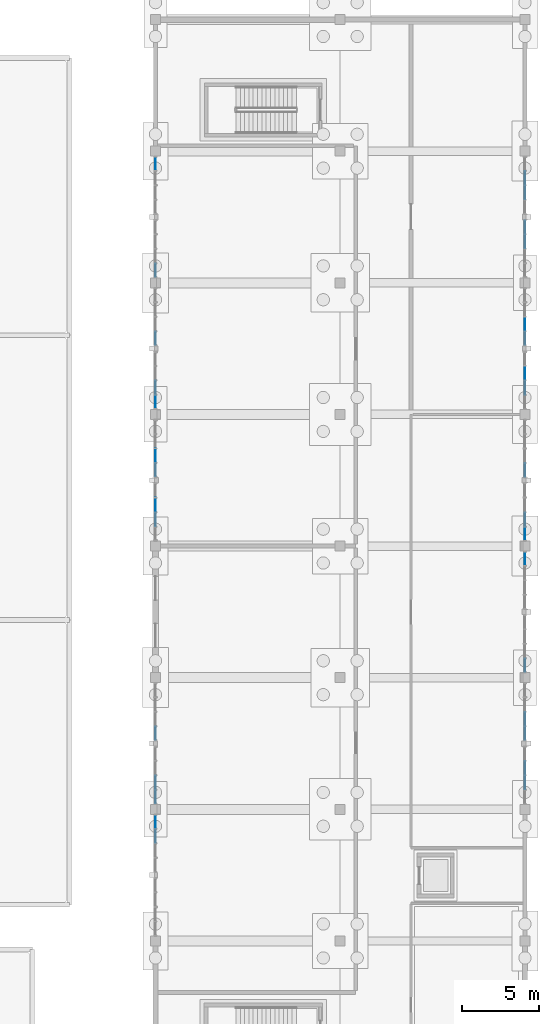
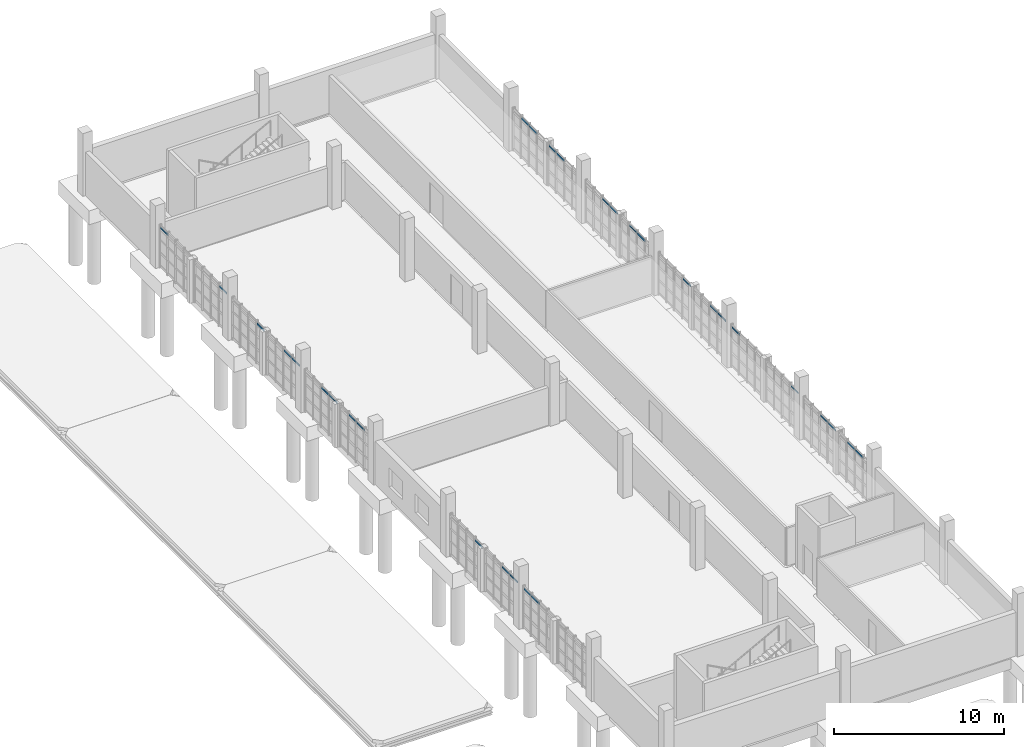
# One storey, part 101 of 125: 31 plates, 19 elements without a shape of their own.
"""IFC4 building model written with IfcOpenShell, lengths in metres."""

import ifcopenshell
import ifcopenshell.guid

model = None  # the IFC model being written
_history = None  # IfcOwnerHistory: only IFC2X3 demands one
_inside = {}  # id of a spatial element -> (the spatial element, [elements in it])
_under = {}  # id of a project, library or spatial element -> (it, [spatial elements below it])
_declared = {}  # id of a project -> (the project, [libraries it declares])
_typed = {}  # id of a type object -> (the type object, [elements of that type])
_made_of = {}  # id of a material, layer set ... -> (it, [elements and type objects made of it])


def new_model(schema):
    """Start an empty IFC model of exactly this schema.

    Asked for "IFC4X3", IfcOpenShell would pick the latest addendum, in which some entities
    have other attributes; the version numbers below select the first issue.
    IFC2X3 requires an IfcOwnerHistory on every rooted entity: one is made here for all.
    """
    global model, _history
    if schema == "IFC4X3":
        model = ifcopenshell.file(schema_version=(4, 3, 0, 0))
    else:
        model = ifcopenshell.file(schema=schema)
    _inside.clear()
    _under.clear()
    _declared.clear()
    _typed.clear()
    _made_of.clear()
    _history = None
    if model.schema == "IFC2X3":
        org = make("IfcOrganization", Name="unknown")
        user = make(
            "IfcPersonAndOrganization",
            ThePerson=make("IfcPerson", FamilyName="unknown"),
            TheOrganization=org,
        )
        app = make(
            "IfcApplication",
            ApplicationDeveloper=org,
            Version="unknown",
            ApplicationFullName="unknown",
            ApplicationIdentifier="unknown",
        )
        _history = make(
            "IfcOwnerHistory",
            OwningUser=user,
            OwningApplication=app,
            ChangeAction="ADDED",
            CreationDate=0,
        )
    return model


def make(cls, **values):
    """One entity of the class cls with the attributes given. An attribute that is None is left unset."""
    return model.create_entity(
        cls, **{name: value for name, value in values.items() if value is not None}
    )


def rooted(cls, **values):
    """An entity with a GlobalId (a new one), such as an element, a storey or a relation."""
    return make(cls, GlobalId=ifcopenshell.guid.new(), OwnerHistory=_history, **values)


def si_unit(unit_type, name, prefix=None):
    """IfcSIUnit, for example si_unit("LENGTHUNIT", "METRE", prefix="MILLI")."""
    return make("IfcSIUnit", UnitType=unit_type, Prefix=prefix, Name=name)


def assignment(units):
    """IfcUnitAssignment: the units of a project."""
    return None if units is None else make("IfcUnitAssignment", Units=units)


def point(xyz):
    """IfcCartesianPoint."""
    return None if xyz is None else make("IfcCartesianPoint", Coordinates=xyz)


def direction(xyz):
    """IfcDirection."""
    return None if xyz is None else make("IfcDirection", DirectionRatios=xyz)


def frame(location, z_axis=None, x_axis=None):
    """IfcAxis2Placement3D, a coordinate frame: its origin and axes. An axis left out is left unset."""
    return make(
        "IfcAxis2Placement3D",
        Location=point(location),
        Axis=direction(z_axis),
        RefDirection=direction(x_axis),
    )


def frame_2d(location, x_axis=None):
    """IfcAxis2Placement2D, a coordinate frame in the plane: its origin and x axis."""
    return make(
        "IfcAxis2Placement2D", Location=point(location), RefDirection=direction(x_axis)
    )


def origin():
    """The frame at (0, 0, 0) with its axes left unset."""
    return frame((0.0, 0.0, 0.0))


def origin_2d():
    """The frame at (0, 0) in the plane with its x axis left unset."""
    return frame_2d((0.0, 0.0))


def place(relative_to, where):
    """IfcLocalPlacement: puts the frame where relative to a parent placement (None: the world)."""
    return make(
        "IfcLocalPlacement", PlacementRelTo=relative_to, RelativePlacement=where
    )


def context(
    kind, dimensions, precision=None, world=None, true_north=None, identifier=None
):
    """IfcGeometricRepresentationContext, for example the 3D "Model" context."""
    return make(
        "IfcGeometricRepresentationContext",
        ContextIdentifier=identifier,
        ContextType=kind,
        CoordinateSpaceDimension=dimensions,
        Precision=precision,
        WorldCoordinateSystem=world,
        TrueNorth=true_north,
    )


def subcontext(parent, identifier, kind, view, scale=None):
    """IfcGeometricRepresentationSubContext, for example "Body" below "Model"."""
    return make(
        "IfcGeometricRepresentationSubContext",
        ContextIdentifier=identifier,
        ContextType=kind,
        ParentContext=parent,
        TargetScale=scale,
        TargetView=view,
    )


def project(units=None, contexts=None):
    """IfcProject with its units and contexts."""
    return rooted(
        "IfcProject",
        Name="project",
        RepresentationContexts=contexts,
        UnitsInContext=assignment(units),
    )


def spatial(cls, under=None, at=None, **own):
    """A site, building, storey or space (cls), placed at a placement, below another one or the project."""
    s = rooted(cls, ObjectPlacement=at, **own)
    if under is not None:
        _under.setdefault(under.id(), (under, []))[1].append(s)
    return s


def profile(cls, at=None, kind="AREA", **sizes):
    """A parametric profile (cls). Its sizes go by their IFC names, for example OverallWidth=200.0."""
    return make(cls, ProfileType=kind, Position=at, **sizes)


def rectangle(**sizes):
    """IfcRectangleProfileDef."""
    return profile("IfcRectangleProfileDef", **sizes)


def extrude(swept, where, along, depth):
    """IfcExtrudedAreaSolid: the profile swept, set in the frame where, extruded along a direction by depth."""
    return make(
        "IfcExtrudedAreaSolid",
        SweptArea=swept,
        Position=where,
        ExtrudedDirection=direction(along),
        Depth=depth,
    )


def shape(context_of_items, identifier, shape_type, items):
    """IfcShapeRepresentation: the items that make up one representation, for example the "Body"."""
    return make(
        "IfcShapeRepresentation",
        ContextOfItems=context_of_items,
        RepresentationIdentifier=identifier,
        RepresentationType=shape_type,
        Items=items,
    )


def material(Name=None, Category=None):
    """IfcMaterial."""
    return make("IfcMaterial", Name=Name, Category=Category)


def layer(
    of_material, thickness, ventilated=None, Name=None, Category=None, Priority=None
):
    """IfcMaterialLayer: one layer of a wall or slab, of a material (None: an air gap)."""
    return make(
        "IfcMaterialLayer",
        Material=of_material,
        LayerThickness=thickness,
        IsVentilated=ventilated,
        Name=Name,
        Category=Category,
        Priority=Priority,
    )


def layer_set(layers, Name=None):
    """IfcMaterialLayerSet."""
    return make("IfcMaterialLayerSet", MaterialLayers=layers, LayerSetName=Name)


def made_of(thing, what):
    """Note that an element or type object is made of a material, layer set ...; save() writes the relation."""
    if what is not None:
        _made_of.setdefault(what.id(), (what, []))[1].append(thing)
    return thing


def type_object(cls, material=None, **own):
    """A type object (cls), such as IfcWallType, which elements share."""
    return made_of(rooted(cls, **own), material)


def element(
    cls,
    number,
    at=None,
    inside=None,
    cuts=None,
    type_object=None,
    material=None,
    context=None,
    identifier="Body",
    shape_type=None,
    held_by="IfcProductDefinitionShape",
    body=None,
    shapes=None,
    **own,
):
    """One element of the class cls, such as IfcWall. Its Tag is "e" and its number.

    at: its placement. inside: the storey or other place that contains it. cuts: it is an
    opening in that element (IfcRelVoidsElement). A single representation is given by context,
    identifier, shape_type and body (its items); several are given by shapes. held_by: the class
    of the entity that holds the representations. save() writes the other relations.
    """
    e = rooted(cls, Tag="e%d" % number, ObjectPlacement=at, **own)
    if body is not None:
        shapes = [shape(context, identifier, shape_type, body)]
    if shapes is not None:
        e.Representation = make(held_by, Representations=shapes)
    if inside is not None:
        _inside.setdefault(inside.id(), (inside, []))[1].append(e)
    if cuts is not None:
        rooted(
            "IfcRelVoidsElement", RelatingBuildingElement=cuts, RelatedOpeningElement=e
        )
    if type_object is not None:
        _typed.setdefault(type_object.id(), (type_object, []))[1].append(e)
    return made_of(e, material)


def aggregate(whole, parts):
    """IfcRelAggregates: a whole, such as a stair, and the parts it consists of."""
    return rooted("IfcRelAggregates", RelatingObject=whole, RelatedObjects=parts)


def save(model, path):
    """Write the relations noted so far, then the file.

    IfcRelAggregates (storeys below a building ...), IfcRelContainedInSpatialStructure (elements
    in a storey), IfcRelDefinesByType, IfcRelAssociatesMaterial and IfcRelDeclares: one each for
    every whole, place, type object, material and project.
    """
    for whole, parts in _under.values():
        aggregate(whole, parts)
    for where, things in _inside.values():
        rooted(
            "IfcRelContainedInSpatialStructure",
            RelatedElements=things,
            RelatingStructure=where,
        )
    for kind, things in _typed.values():
        rooted("IfcRelDefinesByType", RelatedObjects=things, RelatingType=kind)
    for what, things in _made_of.values():
        rooted("IfcRelAssociatesMaterial", RelatedObjects=things, RelatingMaterial=what)
    for by, libraries in _declared.values():
        rooted("IfcRelDeclares", RelatingContext=by, RelatedDefinitions=libraries)
    model.write(path)


model = new_model("IFC4")

# Units and contexts
model_context = context("Model", 3, precision=1e-05, world=origin(), true_north=direction((0.0, 1.0)))
body_context = subcontext(model_context, "Body", "Model", "MODEL_VIEW")
ifc_project = project(units=[si_unit("LENGTHUNIT", "METRE"), si_unit("AREAUNIT", "SQUARE_METRE"), si_unit("VOLUMEUNIT", "CUBIC_METRE"), si_unit("PLANEANGLEUNIT", "RADIAN"), si_unit("MASSUNIT", "GRAM", prefix="KILO")], contexts=[model_context])

# Site, building, storey
site_placement = place(None, origin())
site = spatial("IfcSite", under=ifc_project, at=site_placement, CompositionType="ELEMENT")
building_placement = place(site_placement, origin())
building = spatial("IfcBuilding", under=site, at=building_placement, Name="Serraforn Aerial Cableway Station", CompositionType="ELEMENT")
storey_placement = place(building_placement, frame((0.0, 0.0, 4.5)))
storey = spatial("IfcBuildingStorey", under=building, at=storey_placement, Name="L01", CompositionType="ELEMENT", Elevation=4.5)

# Curtain wall, plate
ifc_material_1 = material(Name="Anodised bronze unitised curtain wall")
curtain_wall_type_1 = type_object("IfcCurtainWallType", Name="CW-SYS-10", PredefinedType="USERDEFINED", material=ifc_material_1)
curtain_wall_1_placement = place(storey_placement, origin())
curtain_wall_1 = element("IfcCurtainWall", 1, at=curtain_wall_1_placement, inside=storey, type_object=curtain_wall_type_1, Name="Unitised Curtain Wall CW-EG-L01-E4B", ObjectType="UNITISED CURTAIN WALL", PredefinedType="USERDEFINED")
ifc_material_2 = material(Name="Solar-control low-E double glazing", Category="glass")
ifc_layer_1 = layer(ifc_material_2, 0.02587890625)
ifc_layer_set_1 = layer_set([ifc_layer_1], Name="Solar-control low-E double glazing")
plate_type_1 = type_object("IfcPlateType", Name="CW-GLZ-1", PredefinedType="CURTAIN_PANEL", material=ifc_layer_set_1)
plate_1_placement = place(storey_placement, frame((168.0, 78.988037109375, 2.798583984375), z_axis=(0.0, 0.0, 1.0), x_axis=(1.0, 0.0, 0.0)))
plate_1 = element("IfcPlate", 2, at=plate_1_placement, type_object=plate_type_1, Name="Curtain Wall Panel CW-EG-L01-E4B-P4-4", PredefinedType="CURTAIN_PANEL", context=body_context, shape_type="SweptSolid", body=[
    extrude(rectangle(XDim=0.02587890625, YDim=0.85205078125, at=origin_2d()), origin(), (0.0, 0.0, 1.0), 0.138671875),
])
aggregate(curtain_wall_1, [plate_1])

curtain_wall_type_2 = type_object("IfcCurtainWallType", Name="CW-SYS-11", PredefinedType="USERDEFINED", material=ifc_material_1)
curtain_wall_2_placement = place(storey_placement, origin())
curtain_wall_2 = element("IfcCurtainWall", 3, at=curtain_wall_2_placement, inside=storey, type_object=curtain_wall_type_2, Name="Unitised Curtain Wall CW-EG-L01-W5A", ObjectType="UNITISED CURTAIN WALL", PredefinedType="USERDEFINED")
plate_2_placement = place(storey_placement, frame((144.0, 85.670654296875, 2.798583984375), z_axis=(0.0, 0.0, 1.0), x_axis=(1.0, 0.0, 0.0)))
plate_2 = element("IfcPlate", 4, at=plate_2_placement, type_object=plate_type_1, Name="Curtain Wall Panel CW-EG-L01-W5A-P3-4", PredefinedType="CURTAIN_PANEL", context=body_context, shape_type="SweptSolid", body=[
    extrude(rectangle(XDim=0.02587890625, YDim=0.884521484375, at=origin_2d()), origin(), (0.0, 0.0, 1.0), 0.138671875),
])

curtain_wall_type_3 = type_object("IfcCurtainWallType", Name="CW-SYS-12", PredefinedType="USERDEFINED", material=ifc_material_1)
curtain_wall_3_placement = place(storey_placement, origin())
curtain_wall_3 = element("IfcCurtainWall", 5, at=curtain_wall_3_placement, inside=storey, type_object=curtain_wall_type_3, Name="Unitised Curtain Wall CW-EG-L01-W5B", ObjectType="UNITISED CURTAIN WALL", PredefinedType="USERDEFINED")
plate_3_placement = place(storey_placement, frame((144.0, 82.481689453125, 2.798583984375), z_axis=(0.0, 0.0, 1.0), x_axis=(1.0, 0.0, 0.0)))
plate_3 = element("IfcPlate", 6, at=plate_3_placement, type_object=plate_type_1, Name="Curtain Wall Panel CW-EG-L01-W5B-P2-4", PredefinedType="CURTAIN_PANEL", context=body_context, shape_type="SweptSolid", body=[
    extrude(rectangle(XDim=0.02587890625, YDim=0.884521484375, at=origin_2d()), origin(), (0.0, 0.0, 1.0), 0.138671875),
])

curtain_wall_type_4 = type_object("IfcCurtainWallType", Name="CW-SYS-13", PredefinedType="USERDEFINED", material=ifc_material_1)
curtain_wall_4_placement = place(storey_placement, origin())
curtain_wall_4 = element("IfcCurtainWall", 7, at=curtain_wall_4_placement, inside=storey, type_object=curtain_wall_type_4, Name="Unitised Curtain Wall CW-EG-L01-E5A", ObjectType="UNITISED CURTAIN WALL", PredefinedType="USERDEFINED")
plate_4_placement = place(storey_placement, frame((168.0, 80.608154296875, 2.798583984375), z_axis=(0.0, 0.0, 1.0), x_axis=(1.0, 0.0, 0.0)))
plate_4 = element("IfcPlate", 8, at=plate_4_placement, type_object=plate_type_1, Name="Curtain Wall Panel CW-EG-L01-E5A-P1-4", PredefinedType="CURTAIN_PANEL", context=body_context, shape_type="SweptSolid", body=[
    extrude(rectangle(XDim=0.02587890625, YDim=0.8544921875, at=origin_2d()), origin(), (0.0, 0.0, 1.0), 0.138671875),
])

# Plate
ifc_layer_2 = layer(ifc_material_2, 0.028076171875)
ifc_layer_set_2 = layer_set([ifc_layer_2], Name="Solar-control low-E double glazing")
plate_type_2 = type_object("IfcPlateType", Name="CW-GLZ-2", PredefinedType="CURTAIN_PANEL", material=ifc_layer_set_2)
plate_5_placement = place(storey_placement, frame((144.0, 84.7451171875, 2.8037109375), z_axis=(0.0, 0.0, 1.0), x_axis=(1.0, 0.0, 0.0)))
plate_5 = element("IfcPlate", 9, at=plate_5_placement, type_object=plate_type_2, Name="Curtain Wall Panel CW-EG-L01-W5A-P4-4", PredefinedType="CURTAIN_PANEL", context=body_context, shape_type="SweptSolid", body=[
    extrude(rectangle(XDim=0.028076171875, YDim=0.844482421875, at=origin_2d()), origin(), (0.0, 0.0, 1.0), 0.126220703125),
])

aggregate(curtain_wall_2, [plate_2, plate_5])

plate_6_placement = place(storey_placement, frame((144.0, 81.538818359375, 2.8037109375), z_axis=(0.0, 0.0, 1.0), x_axis=(1.0, 0.0, 0.0)))
plate_6 = element("IfcPlate", 10, at=plate_6_placement, type_object=plate_type_2, Name="Curtain Wall Panel CW-EG-L01-W5B-P3-4", PredefinedType="CURTAIN_PANEL", context=body_context, shape_type="SweptSolid", body=[
    extrude(rectangle(XDim=0.028076171875, YDim=0.87939453125, at=origin_2d()), origin(), (0.0, 0.0, 1.0), 0.126220703125),
])

aggregate(curtain_wall_3, [plate_3, plate_6])

plate_7_placement = place(storey_placement, frame((168.0, 81.5361328125, 2.8037109375), z_axis=(0.0, 0.0, 1.0), x_axis=(1.0, 0.0, 0.0)))
plate_7 = element("IfcPlate", 11, at=plate_7_placement, type_object=plate_type_2, Name="Curtain Wall Panel CW-EG-L01-E5A-P2-4", PredefinedType="CURTAIN_PANEL", context=body_context, shape_type="SweptSolid", body=[
    extrude(rectangle(XDim=0.028076171875, YDim=0.87939453125, at=origin_2d()), origin(), (0.0, 0.0, 1.0), 0.126220703125),
])

aggregate(curtain_wall_4, [plate_4, plate_7])

# Curtain wall, plate
curtain_wall_type_5 = type_object("IfcCurtainWallType", Name="CW-SYS-14", PredefinedType="USERDEFINED", material=ifc_material_1)
curtain_wall_5_placement = place(storey_placement, origin())
curtain_wall_5 = element("IfcCurtainWall", 12, at=curtain_wall_5_placement, inside=storey, type_object=curtain_wall_type_5, Name="Unitised Curtain Wall CW-EG-L01-E5B", ObjectType="UNITISED CURTAIN WALL", PredefinedType="USERDEFINED")
plate_8_placement = place(storey_placement, frame((168.0, 84.741455078125, 2.8037109375), z_axis=(0.0, 0.0, 1.0), x_axis=(1.0, 0.0, 0.0)))
plate_8 = element("IfcPlate", 13, at=plate_8_placement, type_object=plate_type_2, Name="Curtain Wall Panel CW-EG-L01-E5B-P1-4", PredefinedType="CURTAIN_PANEL", context=body_context, shape_type="SweptSolid", body=[
    extrude(rectangle(XDim=0.028076171875, YDim=0.846923828125, at=origin_2d()), origin(), (0.0, 0.0, 1.0), 0.126220703125),
])
aggregate(curtain_wall_5, [plate_8])

curtain_wall_type_6 = type_object("IfcCurtainWallType", Name="CW-SYS-20", PredefinedType="USERDEFINED", material=ifc_material_1)
curtain_wall_6_placement = place(storey_placement, origin())
curtain_wall_6 = element("IfcCurtainWall", 14, at=curtain_wall_6_placement, inside=storey, type_object=curtain_wall_type_6, Name="Unitised Curtain Wall CW-EG-L01-W7B", ObjectType="UNITISED CURTAIN WALL", PredefinedType="USERDEFINED")
ifc_layer_3 = layer(ifc_material_2, 0.030029296875)
ifc_layer_set_3 = layer_set([ifc_layer_3], Name="Solar-control low-E double glazing")
plate_type_3 = type_object("IfcPlateType", Name="CW-GLZ-3", PredefinedType="CURTAIN_PANEL", material=ifc_layer_set_3)
plate_9_placement = place(storey_placement, frame((144.0, 97.7119140625, 2.798583984375), z_axis=(0.0, 0.0, 1.0), x_axis=(1.0, 0.0, 0.0)))
plate_9 = element("IfcPlate", 15, at=plate_9_placement, type_object=plate_type_3, Name="Curtain Wall Panel CW-EG-L01-W7B-P4-4", PredefinedType="CURTAIN_PANEL", context=body_context, shape_type="SweptSolid", body=[
    extrude(rectangle(XDim=0.030029296875, YDim=0.85205078125, at=origin_2d()), origin(), (0.0, 0.0, 1.0), 0.138671875),
])
aggregate(curtain_wall_6, [plate_9])

curtain_wall_type_7 = type_object("IfcCurtainWallType", Name="CW-SYS-21", PredefinedType="USERDEFINED", material=ifc_material_1)
curtain_wall_7_placement = place(storey_placement, origin())
curtain_wall_7 = element("IfcCurtainWall", 16, at=curtain_wall_7_placement, inside=storey, type_object=curtain_wall_type_7, Name="Unitised Curtain Wall CW-EG-L01-E7A", ObjectType="UNITISED CURTAIN WALL", PredefinedType="USERDEFINED")
plate_10_placement = place(storey_placement, frame((168.0, 99.579345703125, 2.798583984375), z_axis=(0.0, 0.0, 1.0), x_axis=(1.0, 0.0, 0.0)))
plate_10 = element("IfcPlate", 17, at=plate_10_placement, type_object=plate_type_3, Name="Curtain Wall Panel CW-EG-L01-E7A-P3-4", PredefinedType="CURTAIN_PANEL", context=body_context, shape_type="SweptSolid", body=[
    extrude(rectangle(XDim=0.030029296875, YDim=0.884521484375, at=origin_2d()), origin(), (0.0, 0.0, 1.0), 0.138671875),
])

curtain_wall_type_8 = type_object("IfcCurtainWallType", Name="CW-SYS-22", PredefinedType="USERDEFINED", material=ifc_material_1)
curtain_wall_8_placement = place(storey_placement, origin())
curtain_wall_8 = element("IfcCurtainWall", 18, at=curtain_wall_8_placement, inside=storey, type_object=curtain_wall_type_8, Name="Unitised Curtain Wall CW-EG-L01-E7B", ObjectType="UNITISED CURTAIN WALL", PredefinedType="USERDEFINED")
plate_11_placement = place(storey_placement, frame((168.0, 102.768310546875, 2.798583984375), z_axis=(0.0, 0.0, 1.0), x_axis=(1.0, 0.0, 0.0)))
plate_11 = element("IfcPlate", 19, at=plate_11_placement, type_object=plate_type_3, Name="Curtain Wall Panel CW-EG-L01-E7B-P2-4", PredefinedType="CURTAIN_PANEL", context=body_context, shape_type="SweptSolid", body=[
    extrude(rectangle(XDim=0.030029296875, YDim=0.884521484375, at=origin_2d()), origin(), (0.0, 0.0, 1.0), 0.138671875),
])

curtain_wall_type_9 = type_object("IfcCurtainWallType", Name="CW-SYS-5", PredefinedType="USERDEFINED", material=ifc_material_1)
curtain_wall_9_placement = place(storey_placement, origin())
curtain_wall_9 = element("IfcCurtainWall", 20, at=curtain_wall_9_placement, inside=storey, type_object=curtain_wall_type_9, Name="Unitised Curtain Wall CW-EG-L01-W3A", ObjectType="UNITISED CURTAIN WALL", PredefinedType="USERDEFINED")
ifc_layer_4 = layer(ifc_material_2, 0.031982421875)
ifc_layer_set_4 = layer_set([ifc_layer_4], Name="Solar-control low-E double glazing")
plate_type_4 = type_object("IfcPlateType", Name="CW-GLZ-4", PredefinedType="CURTAIN_PANEL", material=ifc_layer_set_4)
plate_12_placement = place(storey_placement, frame((144.0, 67.64404296875, 2.798583984375), z_axis=(0.0, 0.0, 1.0), x_axis=(1.0, 0.0, 0.0)))
plate_12 = element("IfcPlate", 21, at=plate_12_placement, type_object=plate_type_4, Name="Curtain Wall Panel CW-EG-L01-W3A-P4-4", PredefinedType="CURTAIN_PANEL", context=body_context, shape_type="SweptSolid", body=[
    extrude(rectangle(XDim=0.031982421875, YDim=0.85205078125, at=origin_2d()), origin(), (0.0, 0.0, 1.0), 0.138671875),
])
aggregate(curtain_wall_9, [plate_12])

curtain_wall_type_10 = type_object("IfcCurtainWallType", Name="CW-SYS-6", PredefinedType="USERDEFINED", material=ifc_material_1)
curtain_wall_10_placement = place(storey_placement, origin())
curtain_wall_10 = element("IfcCurtainWall", 22, at=curtain_wall_10_placement, inside=storey, type_object=curtain_wall_type_10, Name="Unitised Curtain Wall CW-EG-L01-W3B", ObjectType="UNITISED CURTAIN WALL", PredefinedType="USERDEFINED")
plate_13_placement = place(storey_placement, frame((144.0, 64.438720703125, 2.798583984375), z_axis=(0.0, 0.0, 1.0), x_axis=(1.0, 0.0, 0.0)))
plate_13 = element("IfcPlate", 23, at=plate_13_placement, type_object=plate_type_4, Name="Curtain Wall Panel CW-EG-L01-W3B-P3-4", PredefinedType="CURTAIN_PANEL", context=body_context, shape_type="SweptSolid", body=[
    extrude(rectangle(XDim=0.031982421875, YDim=0.884521484375, at=origin_2d()), origin(), (0.0, 0.0, 1.0), 0.138671875),
])

curtain_wall_type_11 = type_object("IfcCurtainWallType", Name="CW-SYS-7", PredefinedType="USERDEFINED", material=ifc_material_1)
curtain_wall_11_placement = place(storey_placement, origin())
curtain_wall_11 = element("IfcCurtainWall", 24, at=curtain_wall_11_placement, inside=storey, type_object=curtain_wall_type_11, Name="Unitised Curtain Wall CW-EG-L01-E3A", ObjectType="UNITISED CURTAIN WALL", PredefinedType="USERDEFINED")
plate_14_placement = place(storey_placement, frame((168.0, 64.436279296875, 2.798583984375), z_axis=(0.0, 0.0, 1.0), x_axis=(1.0, 0.0, 0.0)))
plate_14 = element("IfcPlate", 25, at=plate_14_placement, type_object=plate_type_4, Name="Curtain Wall Panel CW-EG-L01-E3A-P2-4", PredefinedType="CURTAIN_PANEL", context=body_context, shape_type="SweptSolid", body=[
    extrude(rectangle(XDim=0.031982421875, YDim=0.884521484375, at=origin_2d()), origin(), (0.0, 0.0, 1.0), 0.138671875),
])

curtain_wall_type_12 = type_object("IfcCurtainWallType", Name="CW-SYS-8", PredefinedType="USERDEFINED", material=ifc_material_1)
curtain_wall_12_placement = place(storey_placement, origin())
curtain_wall_12 = element("IfcCurtainWall", 26, at=curtain_wall_12_placement, inside=storey, type_object=curtain_wall_type_12, Name="Unitised Curtain Wall CW-EG-L01-E3B", ObjectType="UNITISED CURTAIN WALL", PredefinedType="USERDEFINED")
plate_15_placement = place(storey_placement, frame((168.0, 67.640380859375, 2.798583984375), z_axis=(0.0, 0.0, 1.0), x_axis=(1.0, 0.0, 0.0)))
plate_15 = element("IfcPlate", 27, at=plate_15_placement, type_object=plate_type_4, Name="Curtain Wall Panel CW-EG-L01-E3B-P1-4", PredefinedType="CURTAIN_PANEL", context=body_context, shape_type="SweptSolid", body=[
    extrude(rectangle(XDim=0.031982421875, YDim=0.8544921875, at=origin_2d()), origin(), (0.0, 0.0, 1.0), 0.138671875),
])

# Plate
plate_16_placement = place(storey_placement, frame((168.0, 100.5048828125, 2.8037109375), z_axis=(0.0, 0.0, 1.0), x_axis=(1.0, 0.0, 0.0)))
plate_16 = element("IfcPlate", 28, at=plate_16_placement, type_object=plate_type_4, Name="Curtain Wall Panel CW-EG-L01-E7A-P4-4", PredefinedType="CURTAIN_PANEL", context=body_context, shape_type="SweptSolid", body=[
    extrude(rectangle(XDim=0.031982421875, YDim=0.844482421875, at=origin_2d()), origin(), (0.0, 0.0, 1.0), 0.126220703125),
])

aggregate(curtain_wall_7, [plate_10, plate_16])

plate_17_placement = place(storey_placement, frame((168.0, 103.711181640625, 2.8037109375), z_axis=(0.0, 0.0, 1.0), x_axis=(1.0, 0.0, 0.0)))
plate_17 = element("IfcPlate", 29, at=plate_17_placement, type_object=plate_type_4, Name="Curtain Wall Panel CW-EG-L01-E7B-P3-4", PredefinedType="CURTAIN_PANEL", context=body_context, shape_type="SweptSolid", body=[
    extrude(rectangle(XDim=0.031982421875, YDim=0.87939453125, at=origin_2d()), origin(), (0.0, 0.0, 1.0), 0.126220703125),
])

aggregate(curtain_wall_8, [plate_11, plate_17])

ifc_layer_5 = layer(ifc_material_2, 0.033935546875)
ifc_layer_set_5 = layer_set([ifc_layer_5], Name="Solar-control low-E double glazing")
plate_type_5 = type_object("IfcPlateType", Name="CW-GLZ-5", PredefinedType="CURTAIN_PANEL", material=ifc_layer_set_5)
plate_18_placement = place(storey_placement, frame((144.0, 63.51318359375, 2.8037109375), z_axis=(0.0, 0.0, 1.0), x_axis=(1.0, 0.0, 0.0)))
plate_18 = element("IfcPlate", 30, at=plate_18_placement, type_object=plate_type_5, Name="Curtain Wall Panel CW-EG-L01-W3B-P4-4", PredefinedType="CURTAIN_PANEL", context=body_context, shape_type="SweptSolid", body=[
    extrude(rectangle(XDim=0.033935546875, YDim=0.844482421875, at=origin_2d()), origin(), (0.0, 0.0, 1.0), 0.126220703125),
])

aggregate(curtain_wall_10, [plate_13, plate_18])

plate_19_placement = place(storey_placement, frame((168.0, 65.379150390625, 2.8037109375), z_axis=(0.0, 0.0, 1.0), x_axis=(1.0, 0.0, 0.0)))
plate_19 = element("IfcPlate", 31, at=plate_19_placement, type_object=plate_type_5, Name="Curtain Wall Panel CW-EG-L01-E3A-P3-4", PredefinedType="CURTAIN_PANEL", context=body_context, shape_type="SweptSolid", body=[
    extrude(rectangle(XDim=0.033935546875, YDim=0.87939453125, at=origin_2d()), origin(), (0.0, 0.0, 1.0), 0.126220703125),
])

aggregate(curtain_wall_11, [plate_14, plate_19])

plate_20_placement = place(storey_placement, frame((168.0, 68.568359375, 2.8037109375), z_axis=(0.0, 0.0, 1.0), x_axis=(1.0, 0.0, 0.0)))
plate_20 = element("IfcPlate", 32, at=plate_20_placement, type_object=plate_type_5, Name="Curtain Wall Panel CW-EG-L01-E3B-P2-4", PredefinedType="CURTAIN_PANEL", context=body_context, shape_type="SweptSolid", body=[
    extrude(rectangle(XDim=0.033935546875, YDim=0.87939453125, at=origin_2d()), origin(), (0.0, 0.0, 1.0), 0.126220703125),
])

aggregate(curtain_wall_12, [plate_15, plate_20])

# Curtain wall, plate
curtain_wall_type_13 = type_object("IfcCurtainWallType", Name="CW-SYS-9", PredefinedType="USERDEFINED", material=ifc_material_1)
curtain_wall_13_placement = place(storey_placement, origin())
curtain_wall_13 = element("IfcCurtainWall", 33, at=curtain_wall_13_placement, inside=storey, type_object=curtain_wall_type_13, Name="Unitised Curtain Wall CW-EG-L01-E4A", ObjectType="UNITISED CURTAIN WALL", PredefinedType="USERDEFINED")
plate_21_placement = place(storey_placement, frame((168.0, 72.0595703125, 2.8037109375), z_axis=(0.0, 0.0, 1.0), x_axis=(1.0, 0.0, 0.0)))
plate_21 = element("IfcPlate", 34, at=plate_21_placement, type_object=plate_type_5, Name="Curtain Wall Panel CW-EG-L01-E4A-P1-4", PredefinedType="CURTAIN_PANEL", context=body_context, shape_type="SweptSolid", body=[
    extrude(rectangle(XDim=0.033935546875, YDim=0.846923828125, at=origin_2d()), origin(), (0.0, 0.0, 1.0), 0.126220703125),
])
aggregate(curtain_wall_13, [plate_21])

curtain_wall_type_14 = type_object("IfcCurtainWallType", Name="CW-SYS-15", PredefinedType="USERDEFINED", material=ifc_material_1)
curtain_wall_14_placement = place(storey_placement, origin())
curtain_wall_14 = element("IfcCurtainWall", 35, at=curtain_wall_14_placement, inside=storey, type_object=curtain_wall_type_14, Name="Unitised Curtain Wall CW-EG-L01-W6A", ObjectType="UNITISED CURTAIN WALL", PredefinedType="USERDEFINED")
ifc_layer_6 = layer(ifc_material_2, 0.035888671875)
ifc_layer_set_6 = layer_set([ifc_layer_6], Name="Solar-control low-E double glazing")
plate_type_6 = type_object("IfcPlateType", Name="CW-GLZ-6", PredefinedType="CURTAIN_PANEL", material=ifc_layer_set_6)
plate_22_placement = place(storey_placement, frame((144.0, 93.2939453125, 2.798583984375), z_axis=(0.0, 0.0, 1.0), x_axis=(1.0, 0.0, 0.0)))
plate_22 = element("IfcPlate", 36, at=plate_22_placement, type_object=plate_type_6, Name="Curtain Wall Panel CW-EG-L01-W6A-P4-4", PredefinedType="CURTAIN_PANEL", context=body_context, shape_type="SweptSolid", body=[
    extrude(rectangle(XDim=0.035888671875, YDim=0.85205078125, at=origin_2d()), origin(), (0.0, 0.0, 1.0), 0.138671875),
])
aggregate(curtain_wall_14, [plate_22])

curtain_wall_type_15 = type_object("IfcCurtainWallType", Name="CW-SYS-16", PredefinedType="USERDEFINED", material=ifc_material_1)
curtain_wall_15_placement = place(storey_placement, origin())
curtain_wall_15 = element("IfcCurtainWall", 37, at=curtain_wall_15_placement, inside=storey, type_object=curtain_wall_type_15, Name="Unitised Curtain Wall CW-EG-L01-W6B", ObjectType="UNITISED CURTAIN WALL", PredefinedType="USERDEFINED")
plate_23_placement = place(storey_placement, frame((144.0, 90.0888671875, 2.798583984375), z_axis=(0.0, 0.0, 1.0), x_axis=(1.0, 0.0, 0.0)))
plate_23 = element("IfcPlate", 38, at=plate_23_placement, type_object=plate_type_6, Name="Curtain Wall Panel CW-EG-L01-W6B-P3-4", PredefinedType="CURTAIN_PANEL", context=body_context, shape_type="SweptSolid", body=[
    extrude(rectangle(XDim=0.035888671875, YDim=0.884521484375, at=origin_2d()), origin(), (0.0, 0.0, 1.0), 0.138671875),
])

curtain_wall_type_16 = type_object("IfcCurtainWallType", Name="CW-SYS-17", PredefinedType="USERDEFINED", material=ifc_material_1)
curtain_wall_16_placement = place(storey_placement, origin())
curtain_wall_16 = element("IfcCurtainWall", 39, at=curtain_wall_16_placement, inside=storey, type_object=curtain_wall_type_16, Name="Unitised Curtain Wall CW-EG-L01-E6A", ObjectType="UNITISED CURTAIN WALL", PredefinedType="USERDEFINED")
plate_24_placement = place(storey_placement, frame((168.0, 90.086181640625, 2.798583984375), z_axis=(0.0, 0.0, 1.0), x_axis=(1.0, 0.0, 0.0)))
plate_24 = element("IfcPlate", 40, at=plate_24_placement, type_object=plate_type_6, Name="Curtain Wall Panel CW-EG-L01-E6A-P2-4", PredefinedType="CURTAIN_PANEL", context=body_context, shape_type="SweptSolid", body=[
    extrude(rectangle(XDim=0.035888671875, YDim=0.884521484375, at=origin_2d()), origin(), (0.0, 0.0, 1.0), 0.138671875),
])

curtain_wall_type_17 = type_object("IfcCurtainWallType", Name="CW-SYS-18", PredefinedType="USERDEFINED", material=ifc_material_1)
curtain_wall_17_placement = place(storey_placement, origin())
curtain_wall_17 = element("IfcCurtainWall", 41, at=curtain_wall_17_placement, inside=storey, type_object=curtain_wall_type_17, Name="Unitised Curtain Wall CW-EG-L01-E6B", ObjectType="UNITISED CURTAIN WALL", PredefinedType="USERDEFINED")
plate_25_placement = place(storey_placement, frame((168.0, 93.290283203125, 2.798583984375), z_axis=(0.0, 0.0, 1.0), x_axis=(1.0, 0.0, 0.0)))
plate_25 = element("IfcPlate", 42, at=plate_25_placement, type_object=plate_type_6, Name="Curtain Wall Panel CW-EG-L01-E6B-P1-4", PredefinedType="CURTAIN_PANEL", context=body_context, shape_type="SweptSolid", body=[
    extrude(rectangle(XDim=0.035888671875, YDim=0.8544921875, at=origin_2d()), origin(), (0.0, 0.0, 1.0), 0.138671875),
])

curtain_wall_type_18 = type_object("IfcCurtainWallType", Name="CW-SYS-3", PredefinedType="USERDEFINED", material=ifc_material_1)
curtain_wall_18_placement = place(storey_placement, origin())
curtain_wall_18 = element("IfcCurtainWall", 43, at=curtain_wall_18_placement, inside=storey, type_object=curtain_wall_type_18, Name="Unitised Curtain Wall CW-EG-L01-W2A", ObjectType="UNITISED CURTAIN WALL", PredefinedType="USERDEFINED")
ifc_layer_7 = layer(ifc_material_2, 0.029052734375)
ifc_layer_set_7 = layer_set([ifc_layer_7], Name="Solar-control low-E double glazing")
plate_type_7 = type_object("IfcPlateType", Name="CW-GLZ-7", PredefinedType="CURTAIN_PANEL", material=ifc_layer_set_7)
plate_26_placement = place(storey_placement, frame((144.0, 61.891845703125, 2.798583984375), z_axis=(0.0, 0.0, 1.0), x_axis=(1.0, 0.0, 0.0)))
plate_26 = element("IfcPlate", 44, at=plate_26_placement, type_object=plate_type_7, Name="Curtain Wall Panel CW-EG-L01-W2A-P1-4", PredefinedType="CURTAIN_PANEL", context=body_context, shape_type="SweptSolid", body=[
    extrude(rectangle(XDim=0.029052734375, YDim=0.8544921875, at=origin_2d()), origin(), (0.0, 0.0, 1.0), 0.138671875),
])

# Plate
plate_27_placement = place(storey_placement, frame((144.0, 89.163330078125, 2.8037109375), z_axis=(0.0, 0.0, 1.0), x_axis=(1.0, 0.0, 0.0)))
plate_27 = element("IfcPlate", 45, at=plate_27_placement, type_object=plate_type_7, Name="Curtain Wall Panel CW-EG-L01-W6B-P4-4", PredefinedType="CURTAIN_PANEL", context=body_context, shape_type="SweptSolid", body=[
    extrude(rectangle(XDim=0.029052734375, YDim=0.844482421875, at=origin_2d()), origin(), (0.0, 0.0, 1.0), 0.126220703125),
])

aggregate(curtain_wall_15, [plate_23, plate_27])

plate_28_placement = place(storey_placement, frame((168.0, 91.029296875, 2.8037109375), z_axis=(0.0, 0.0, 1.0), x_axis=(1.0, 0.0, 0.0)))
plate_28 = element("IfcPlate", 46, at=plate_28_placement, type_object=plate_type_7, Name="Curtain Wall Panel CW-EG-L01-E6A-P3-4", PredefinedType="CURTAIN_PANEL", context=body_context, shape_type="SweptSolid", body=[
    extrude(rectangle(XDim=0.029052734375, YDim=0.87939453125, at=origin_2d()), origin(), (0.0, 0.0, 1.0), 0.126220703125),
])

aggregate(curtain_wall_16, [plate_24, plate_28])

plate_29_placement = place(storey_placement, frame((168.0, 94.21826171875, 2.8037109375), z_axis=(0.0, 0.0, 1.0), x_axis=(1.0, 0.0, 0.0)))
plate_29 = element("IfcPlate", 47, at=plate_29_placement, type_object=plate_type_7, Name="Curtain Wall Panel CW-EG-L01-E6B-P2-4", PredefinedType="CURTAIN_PANEL", context=body_context, shape_type="SweptSolid", body=[
    extrude(rectangle(XDim=0.029052734375, YDim=0.87939453125, at=origin_2d()), origin(), (0.0, 0.0, 1.0), 0.126220703125),
])

aggregate(curtain_wall_17, [plate_25, plate_29])

# Curtain wall, plate
curtain_wall_type_19 = type_object("IfcCurtainWallType", Name="CW-SYS-19", PredefinedType="USERDEFINED", material=ifc_material_1)
curtain_wall_19_placement = place(storey_placement, origin())
curtain_wall_19 = element("IfcCurtainWall", 48, at=curtain_wall_19_placement, inside=storey, type_object=curtain_wall_type_19, Name="Unitised Curtain Wall CW-EG-L01-W7A", ObjectType="UNITISED CURTAIN WALL", PredefinedType="USERDEFINED")
plate_30_placement = place(storey_placement, frame((144.0, 104.640380859375, 2.8037109375), z_axis=(0.0, 0.0, 1.0), x_axis=(1.0, 0.0, 0.0)))
plate_30 = element("IfcPlate", 49, at=plate_30_placement, type_object=plate_type_7, Name="Curtain Wall Panel CW-EG-L01-W7A-P1-4", PredefinedType="CURTAIN_PANEL", context=body_context, shape_type="SweptSolid", body=[
    extrude(rectangle(XDim=0.029052734375, YDim=0.846923828125, at=origin_2d()), origin(), (0.0, 0.0, 1.0), 0.126220703125),
])
aggregate(curtain_wall_19, [plate_30])

# Plate
ifc_layer_8 = layer(ifc_material_2, 0.031005859375)
ifc_layer_set_8 = layer_set([ifc_layer_8], Name="Solar-control low-E double glazing")
plate_type_8 = type_object("IfcPlateType", Name="CW-GLZ-8", PredefinedType="CURTAIN_PANEL", material=ifc_layer_set_8)
plate_31_placement = place(storey_placement, frame((144.0, 60.963623046875, 2.8037109375), z_axis=(0.0, 0.0, 1.0), x_axis=(1.0, 0.0, 0.0)))
plate_31 = element("IfcPlate", 50, at=plate_31_placement, type_object=plate_type_8, Name="Curtain Wall Panel CW-EG-L01-W2A-P2-4", PredefinedType="CURTAIN_PANEL", context=body_context, shape_type="SweptSolid", body=[
    extrude(rectangle(XDim=0.031005859375, YDim=0.87939453125, at=origin_2d()), origin(), (0.0, 0.0, 1.0), 0.126220703125),
])

aggregate(curtain_wall_18, [plate_26, plate_31])

save(model, "model.ifc")
